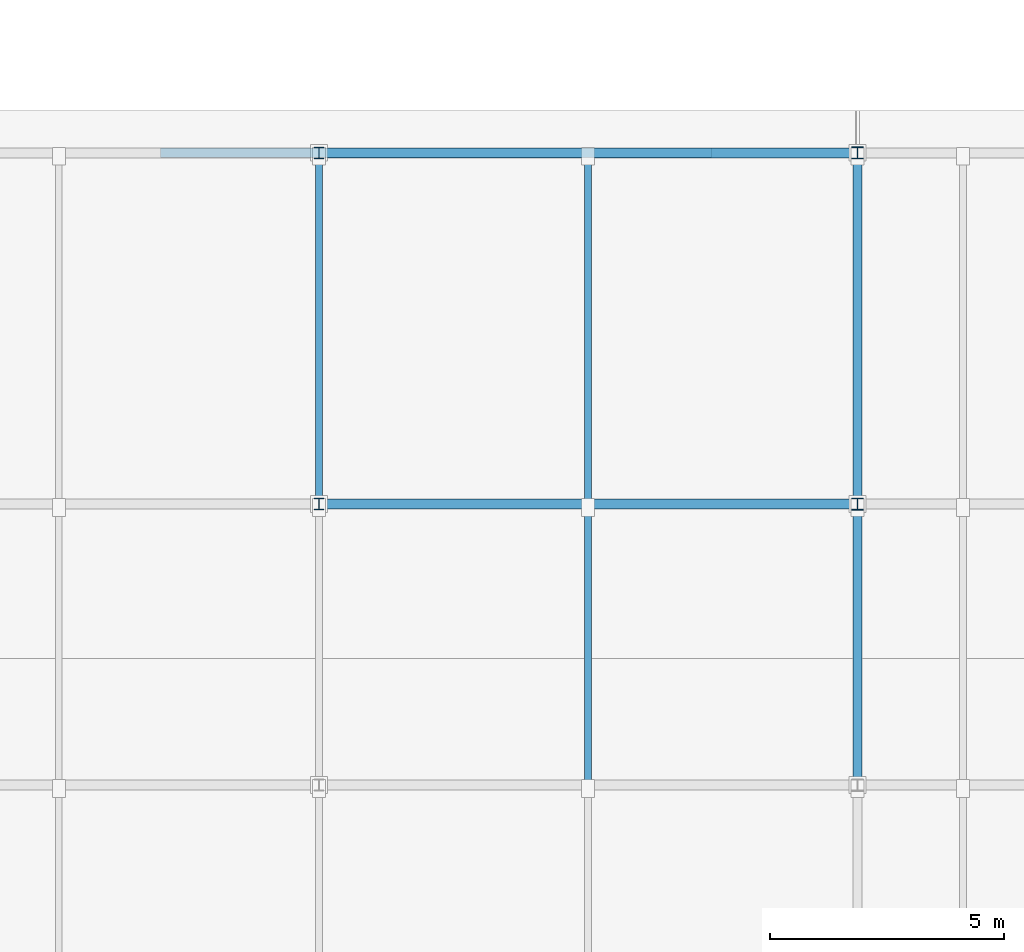
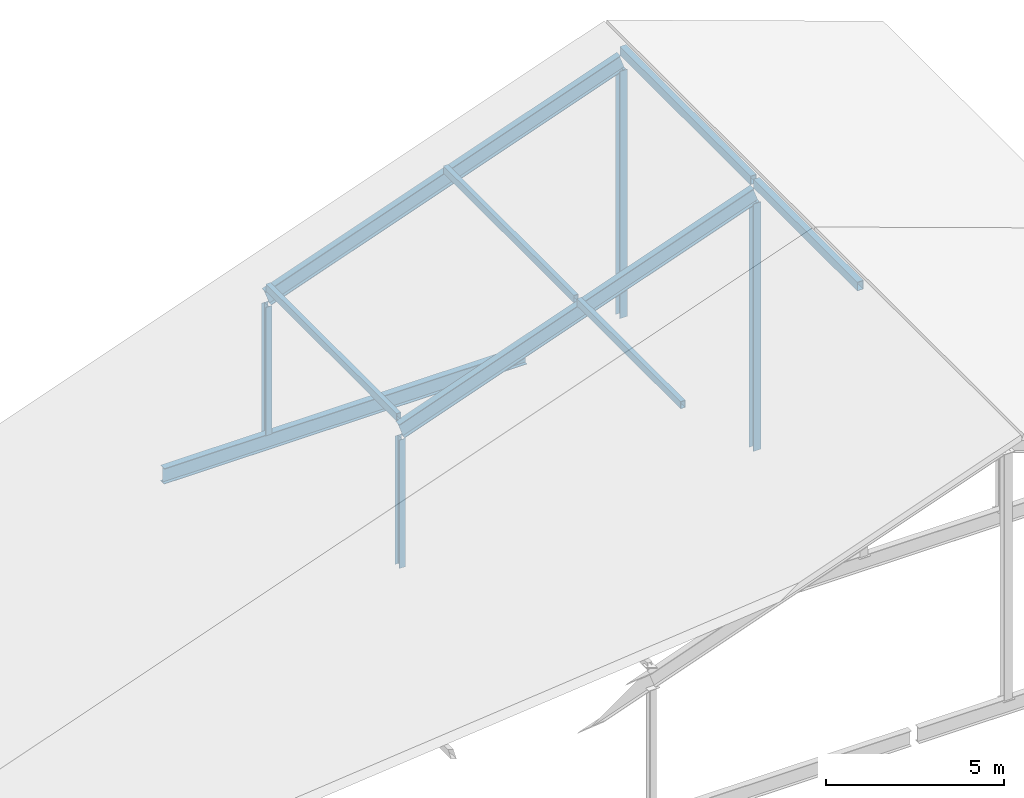
# One storey, part 31 of 42: 9 members, 3 beams.
"""IFC4 building model written with IfcOpenShell, lengths in metres."""

from ifc_helpers import new_model, si_unit, direction, frame, origin, origin_2d, place, context, subcontext, project, spatial, hollow_rectangle, i_section, extrude, material, material_profile, profile_set, type_object, element, save


model = new_model("IFC4")

# Units and contexts
model_context = context("Model", 3, precision=1e-05, world=origin(), true_north=direction((0.0, 1.0)))
body_context = subcontext(model_context, "Body", "Model", "MODEL_VIEW")
ifc_project = project(units=[si_unit("LENGTHUNIT", "METRE"), si_unit("AREAUNIT", "SQUARE_METRE"), si_unit("VOLUMEUNIT", "CUBIC_METRE"), si_unit("PLANEANGLEUNIT", "RADIAN"), si_unit("MASSUNIT", "GRAM", prefix="KILO")], contexts=[model_context])

# Site, building, storey
site_placement = place(None, origin())
site = spatial("IfcSite", under=ifc_project, at=site_placement, CompositionType="ELEMENT")
building_placement = place(site_placement, origin())
building = spatial("IfcBuilding", under=site, at=building_placement, Name="Kelmvaro Bay Concert Hall", CompositionType="ELEMENT")
storey_placement = place(building_placement, frame((0.0, 0.0, 26.699951171875)))
storey = spatial("IfcBuildingStorey", under=building, at=storey_placement, Name="RF", CompositionType="ELEMENT", Elevation=26.699951171875)

# Members
ifc_material_1 = material(Name="Steel ASTM A992 Grade 50", Category="steel")
ifc_material_profile_1 = material_profile(ifc_material_1, i_section(OverallWidth=0.25390625, OverallDepth=0.25390625, WebThickness=0.008544921875, FlangeThickness=0.01416015625, at=origin_2d()), Name="W10X49")
ifc_profile_set_1 = profile_set([ifc_material_profile_1], Name="Steel ASTM A992 Grade 50")
member_type_1 = type_object("IfcMemberType", Name="Crystal Crown King Post W10x49", PredefinedType="STRUT", material=ifc_profile_set_1)
for number, where, z_axis, x_axis, name in (
    (1, (159.0, 88.800048828125, -8.4150390625), (0.0, 0.0, 1.0), (1.0, 0.0, 0.0), "V2 Crystal Roof Post 038"),
    (2, (159.0, 96.300048828125, -8.4150390625), (0.0, 0.0, 1.0), (1.0, 0.0, 0.0), "V2 Crystal Roof Post 043"),
):
    element("IfcMember", number, at=place(storey_placement, frame(where, z_axis=z_axis, x_axis=x_axis)), inside=storey, type_object=member_type_1, Name=name, PredefinedType="STRUT", context=body_context, shape_type="SweptSolid", body=[
        extrude(i_section(OverallWidth=0.25390625, OverallDepth=0.25390625, WebThickness=0.008544921875, FlangeThickness=0.01416015625, at=origin_2d()), origin(), (0.0, 0.0, 1.0), 8.474609375),
    ])
ifc_material_2 = material(Name="Steel ASTM A992 Grade 50", Category="steel")
ifc_material_profile_2 = material_profile(ifc_material_2, i_section(OverallWidth=0.201904296875, OverallDepth=0.2470703125, WebThickness=0.00732421875, FlangeThickness=0.010986328125, at=origin_2d()), Name="W10X33")
ifc_profile_set_2 = profile_set([ifc_material_profile_2], Name="Steel ASTM A992 Grade 50")
member_type_2 = type_object("IfcMemberType", Name="Crystal Crown Queen Post W10x33", PredefinedType="STRUT", material=ifc_profile_set_2)
for number, where, z_axis, x_axis, name in (
    (3, (147.5, 88.800048828125, -8.4150390625), (0.0, 0.0, 1.0), (1.0, 0.0, 0.0), "V2 Crystal Roof Post 037"),
    (4, (147.5, 96.300048828125, -8.4150390625), (0.0, 0.0, 1.0), (1.0, 0.0, 0.0), "V2 Crystal Roof Post 042"),
):
    element("IfcMember", number, at=place(storey_placement, frame(where, z_axis=z_axis, x_axis=x_axis)), inside=storey, type_object=member_type_2, Name=name, PredefinedType="STRUT", context=body_context, shape_type="SweptSolid", body=[
        extrude(i_section(OverallWidth=0.201904296875, OverallDepth=0.2470703125, WebThickness=0.00732421875, FlangeThickness=0.010986328125, at=origin_2d()), origin(), (0.0, 0.0, 1.0), 4.402099609375),
    ])
ifc_material_3 = material(Name="Steel ASTM A500 Grade C", Category="steel")
ifc_material_profile_3 = material_profile(ifc_material_3, hollow_rectangle(XDim=0.14990234375, YDim=0.25, WallThickness=0.010009765625, at=origin_2d()), Name="HSS250X150X10")
ifc_profile_set_3 = profile_set([ifc_material_profile_3], Name="Steel ASTM A500 Grade C")
member_type_3 = type_object("IfcMemberType", Name="Crystal Roof Mid Purlin HSS250x150x10", PredefinedType="PURLIN", material=ifc_profile_set_3)
member_1_placement = place(storey_placement, frame((147.5, 88.885009765625, -3.36279296875), z_axis=(0.0, 1.0, 0.0), x_axis=(-1.0, 0.0, 0.0)))
element("IfcMember", 5, at=member_1_placement, inside=storey, type_object=member_type_3, Name="V2 Crystal Roof Purlin 041", PredefinedType="PURLIN", context=body_context, shape_type="SweptSolid", body=[
    extrude(hollow_rectangle(XDim=0.14990234375, YDim=0.25, WallThickness=0.010009765625, at=origin_2d()), origin(), (0.0, 0.0, 1.0), 7.330078125),
])
member_2_placement = place(storey_placement, frame((153.25, 82.885009765625, -1.32666015625), z_axis=(0.0, 1.0, 0.0), x_axis=(-1.0, 0.0, 0.0)))
element("IfcMember", 6, at=member_2_placement, inside=storey, type_object=member_type_3, Name="V2 Crystal Roof Purlin 043", PredefinedType="PURLIN", context=body_context, shape_type="SweptSolid", body=[
    extrude(hollow_rectangle(XDim=0.14990234375, YDim=0.25, WallThickness=0.010009765625, at=origin_2d()), origin(), (0.0, 0.0, 1.0), 5.830078125),
])
member_3_placement = place(storey_placement, frame((153.25, 88.885009765625, -1.32666015625), z_axis=(0.0, 1.0, 0.0), x_axis=(-1.0, 0.0, 0.0)))
element("IfcMember", 7, at=member_3_placement, inside=storey, type_object=member_type_3, Name="V2 Crystal Roof Purlin 044", PredefinedType="PURLIN", context=body_context, shape_type="SweptSolid", body=[
    extrude(hollow_rectangle(XDim=0.14990234375, YDim=0.25, WallThickness=0.010009765625, at=origin_2d()), origin(), (0.0, 0.0, 1.0), 7.330078125),
])
ifc_material_4 = material(Name="Steel ASTM A500 Grade C", Category="steel")
ifc_material_profile_4 = material_profile(ifc_material_4, hollow_rectangle(XDim=0.199951171875, YDim=0.300048828125, WallThickness=0.012451171875, at=origin_2d()), Name="HSS300X200X12")
ifc_profile_set_4 = profile_set([ifc_material_profile_4], Name="Steel ASTM A500 Grade C")
member_type_4 = type_object("IfcMemberType", Name="Crystal Roof Ridge Purlin HSS300x200x12", PredefinedType="PURLIN", material=ifc_profile_set_4)
member_4_placement = place(storey_placement, frame((159.0, 82.885009765625, 0.734375), z_axis=(0.0, 1.0, 0.0), x_axis=(-1.0, 0.0, 0.0)))
element("IfcMember", 8, at=member_4_placement, inside=storey, type_object=member_type_4, Name="V2 Crystal Roof Purlin 046", PredefinedType="PURLIN", context=body_context, shape_type="SweptSolid", body=[
    extrude(hollow_rectangle(XDim=0.199951171875, YDim=0.300048828125, WallThickness=0.012451171875, at=origin_2d()), origin(), (0.0, 0.0, 1.0), 5.830078125),
])
member_5_placement = place(storey_placement, frame((159.0, 88.885009765625, 0.734375), z_axis=(0.0, 1.0, 0.0), x_axis=(-1.0, 0.0, 0.0)))
element("IfcMember", 9, at=member_5_placement, inside=storey, type_object=member_type_4, Name="V2 Crystal Roof Purlin 047", PredefinedType="PURLIN", context=body_context, shape_type="SweptSolid", body=[
    extrude(hollow_rectangle(XDim=0.199951171875, YDim=0.300048828125, WallThickness=0.012451171875, at=origin_2d()), origin(), (0.0, 0.0, 1.0), 7.330078125),
])

# Beams
ifc_material_5 = material(Name="Steel ASTM A992 Grade 50", Category="steel")
ifc_material_profile_5 = material_profile(ifc_material_5, i_section(OverallWidth=0.2119140625, OverallDepth=0.5439453125, WebThickness=0.01318359375, FlangeThickness=0.021240234375, at=origin_2d()), Name="W21X83")
ifc_profile_set_5 = profile_set([ifc_material_profile_5], Name="Steel ASTM A992 Grade 50")
beam_type_1 = type_object("IfcBeamType", Name="Crystal Roof Sloped Rafter W21x83", PredefinedType="BEAM", material=ifc_profile_set_5)
for number, where, z_axis, x_axis, name in (
    (10, (147.5, 88.800048828125, -3.755859375), (0.942644017665, 0.0, 0.333799724326), (0.0, 1.0, 0.0), "V2 Crystal Roof Rafter 037"),
    (11, (147.5, 96.300048828125, -3.755859375), (0.942644017665, 0.0, 0.333799724326), (0.0, 1.0, 0.0), "V2 Crystal Roof Rafter 044"),
):
    element("IfcBeam", number, at=place(storey_placement, frame(where, z_axis=z_axis, x_axis=x_axis)), inside=storey, type_object=beam_type_1, Name=name, PredefinedType="BEAM", context=body_context, shape_type="SweptSolid", body=[
        extrude(i_section(OverallWidth=0.2119140625, OverallDepth=0.5439453125, WebThickness=0.01318359375, FlangeThickness=0.021240234375, at=origin_2d()), origin(), (0.0, 0.0, 1.0), 12.19970703125),
    ])
ifc_material_6 = material(Name="Steel ASTM A992 Grade 50", Category="steel")
ifc_material_profile_6 = material_profile(ifc_material_6, i_section(OverallWidth=0.2099609375, OverallDepth=0.535888671875, WebThickness=0.010986328125, FlangeThickness=0.017333984375, at=origin_2d()), Name="W21X68")
ifc_profile_set_6 = profile_set([ifc_material_profile_6], Name="Steel ASTM A992 Grade 50")
beam_type_2 = type_object("IfcBeamType", Name="Crystal Roof Tie Girder W21x68", PredefinedType="BEAM", material=ifc_profile_set_6)
beam_placement = place(storey_placement, frame((144.1201171875, 96.300048828125, -8.66796875), z_axis=(1.0, 0.0, 0.0), x_axis=(0.0, 1.0, 0.0)))
element("IfcBeam", 12, at=beam_placement, inside=storey, type_object=beam_type_2, Name="V2 Crystal Roof Tie Girder 041", PredefinedType="BEAM", context=body_context, shape_type="SweptSolid", body=[
    extrude(i_section(OverallWidth=0.2099609375, OverallDepth=0.535888671875, WebThickness=0.010986328125, FlangeThickness=0.017333984375, at=origin_2d()), origin(), (0.0, 0.0, 1.0), 11.759765625),
])

save(model, "model.ifc")
